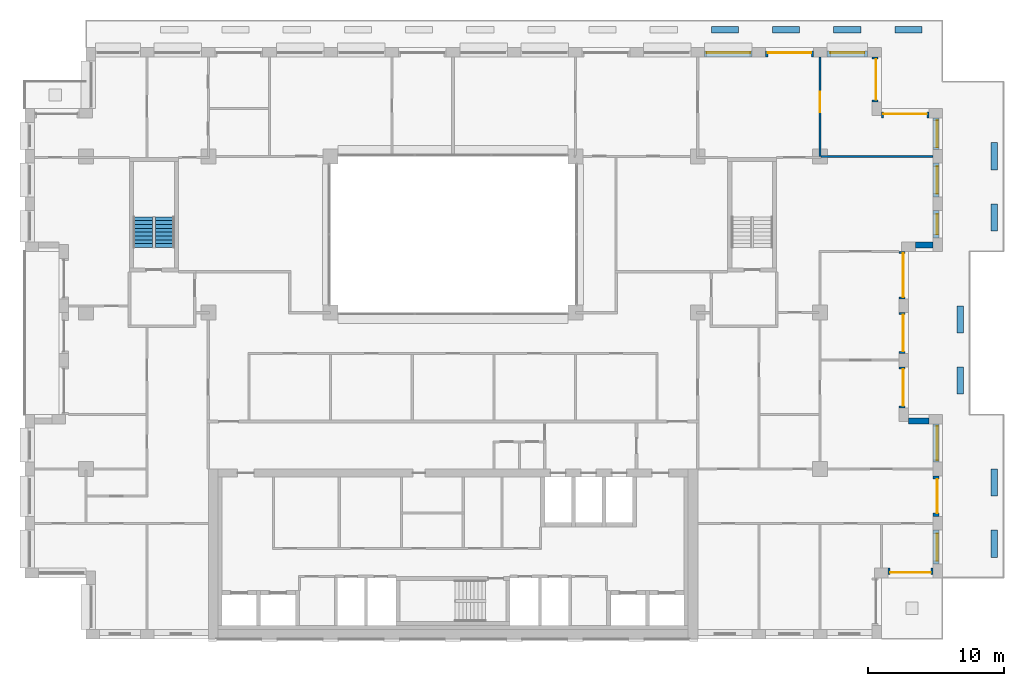
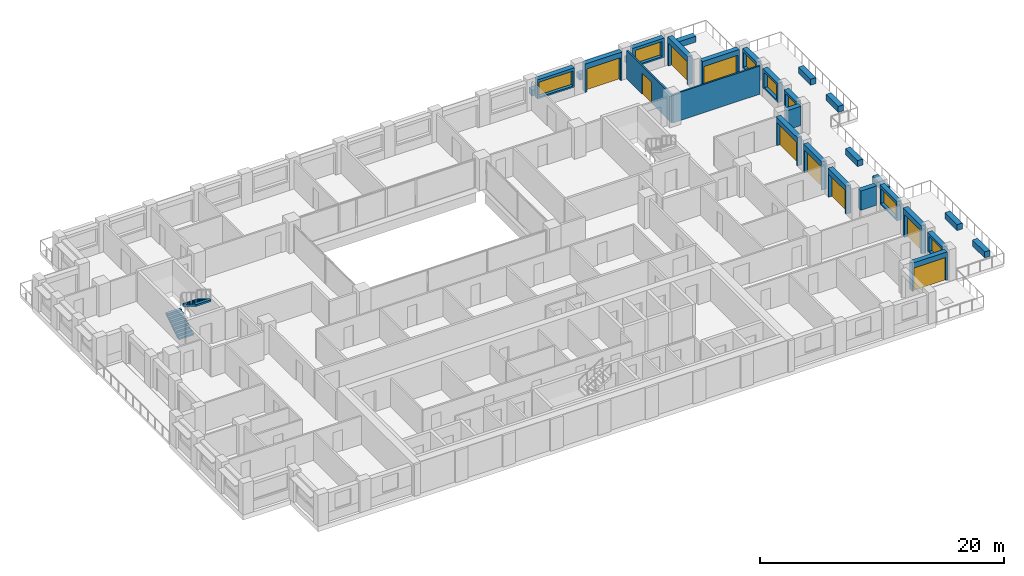
# One storey, part 14 of 17: 29 walls, 9 doors, 7 windows, 2 stair flights, 16 openings, 1 element without a shape of its own.
"""IFC4 building model written with IfcOpenShell, lengths in metres."""

from ifc_helpers import new_model, si_unit, direction, frame, frame_2d, origin, place, context, subcontext, project, spatial, polyline, rectangle, outline, extrude, material, layer, layer_set, type_object, element, fill, aggregate, save


model = new_model("IFC4")

# Units and contexts
model_context = context("Model", 3, precision=1e-05, world=origin(), true_north=direction((0.0, 1.0)))
body_context = subcontext(model_context, "Body", "Model", "MODEL_VIEW")
ifc_project = project(units=[si_unit("LENGTHUNIT", "METRE"), si_unit("AREAUNIT", "SQUARE_METRE"), si_unit("VOLUMEUNIT", "CUBIC_METRE"), si_unit("PLANEANGLEUNIT", "RADIAN"), si_unit("MASSUNIT", "GRAM", prefix="KILO")], contexts=[model_context])

# Site, building, storey
site_placement = place(None, origin())
site = spatial("IfcSite", under=ifc_project, at=site_placement, CompositionType="ELEMENT")
building_placement = place(site_placement, origin())
building = spatial("IfcBuilding", under=site, at=building_placement, Name="Brigalow Station Residences", CompositionType="ELEMENT")
storey_placement = place(building_placement, frame((0.0, 0.0, 141.300048828125)))
storey = spatial("IfcBuildingStorey", under=building, at=storey_placement, Name="L40", CompositionType="ELEMENT", Elevation=141.300048828125)

# Wall, opening, door
ifc_material_1 = material(Name="Clay brick masonry", Category="masonry")
ifc_layer_1 = layer(ifc_material_1, 0.449951171875)
ifc_layer_set_1 = layer_set([ifc_layer_1], Name="BRICK INFILL WALL 450")
wall_type_1 = type_object("IfcWallType", Name="BRICK INFILL WALL 450", PredefinedType="SOLIDWALL", material=ifc_layer_set_1)
wall_1_placement = place(storey_placement, frame((68.0, 4.97509765625, 0.0), z_axis=(0.0, 0.0, 1.0), x_axis=(1.0, 0.0, 0.0)))
wall_1 = element("IfcWall", 1, at=wall_1_placement, inside=storey, type_object=wall_type_1, Name="L40/ewall/W-L40-8", PredefinedType="SOLIDWALL", context=body_context, shape_type="SweptSolid", body=[
    extrude(rectangle(XDim=3.300048828125, YDim=0.449951171875, at=frame_2d((1.64990234375, 0.0))), origin(), (0.0, 0.0, 1.0), 2.829833984375),
])
opening_1_placement = place(wall_1_placement, frame((0.14990234375, 0.0, 0.0)))
opening_1 = element("IfcOpeningElement", 2, at=opening_1_placement, cuts=wall_1, Name="Opening D-B3000", PredefinedType="OPENING", context=body_context, shape_type="SweptSolid", body=[
    extrude(rectangle(XDim=3.0, YDim=2.300048828125, at=frame_2d((1.5, 1.14990234375))), frame((0.0, 0.23486328125, 0.0), z_axis=(0.0, -1.0, 0.0), x_axis=(1.0, 0.0, 0.0)), (0.0, 0.0, 1.0), 0.469970703125),
])
ifc_material_2 = material(Name="Anodised aluminium frame with double glazing", Category="aluminium")
door_type_1 = type_object("IfcDoorType", Name="BALCONY SLIDING DOOR 3000x2300", OperationType="SLIDING_TO_LEFT", PredefinedType="DOOR", material=ifc_material_2)
door_1_placement = place(opening_1_placement, origin())
door_1 = element("IfcDoor", 3, at=door_1_placement, inside=storey, type_object=door_type_1, Name="L40/balcony-door/W-L40-8", OperationType="SLIDING_TO_LEFT", OverallHeight=2.300048828125, OverallWidth=3.0, PredefinedType="DOOR", context=body_context, shape_type="SweptSolid", body=[
    extrude(rectangle(XDim=3.0, YDim=2.300048828125, at=frame_2d((1.5, 1.14990234375))), frame((0.0, -0.06982421875, 0.0), z_axis=(0.0, -1.0, 0.0), x_axis=(1.0, 0.0, 0.0)), (0.0, 0.0, 1.0), 0.050048828125),
])
fill(opening_1, door_1)

# Wall, opening, window
wall_2_placement = place(storey_placement, frame((71.52490234375, 5.5, 0.89990234375), z_axis=(0.0, 0.0, 1.0), x_axis=(0.0, 1.0, 0.0)))
wall_2 = element("IfcWall", 4, at=wall_2_placement, inside=storey, type_object=wall_type_1, Name="L40/ewall/W-L40-9", PredefinedType="SOLIDWALL", context=body_context, shape_type="SweptSolid", body=[
    extrude(rectangle(XDim=2.5, YDim=0.449951171875, at=frame_2d((1.25, 0.0))), origin(), (0.0, 0.0, 1.0), 1.929931640625),
])
opening_2_placement = place(wall_2_placement, frame((0.25, 0.0, 0.14990234375)))
opening_2 = element("IfcOpeningElement", 5, at=opening_2_placement, cuts=wall_2, Name="Opening WT-7", PredefinedType="OPENING", context=body_context, shape_type="SweptSolid", body=[
    extrude(rectangle(XDim=2.0, YDim=1.5, at=frame_2d((1.0, 0.75))), frame((0.0, 0.23486328125, 0.0), z_axis=(0.0, -1.0, 0.0), x_axis=(1.0, 0.0, 0.0)), (0.0, 0.0, 1.0), 0.469970703125),
])
ifc_material_3 = material(Name="Anodised aluminium frame with double glazing", Category="aluminium")
window_type_1 = type_object("IfcWindowType", Name="WINDOW 2000x1500", PartitioningType="SINGLE_PANEL", PredefinedType="WINDOW", material=ifc_material_3)
window_1_placement = place(opening_2_placement, origin())
window_1 = element("IfcWindow", 6, at=window_1_placement, inside=storey, type_object=window_type_1, Name="L40/window/W-L40-9", OverallHeight=1.5, OverallWidth=2.0, PartitioningType="SINGLE_PANEL", PredefinedType="WINDOW", context=body_context, shape_type="SweptSolid", body=[
    extrude(rectangle(XDim=2.0, YDim=1.5, at=frame_2d((1.0, 0.75))), frame((0.0, -0.06494140625, 0.0), z_axis=(0.0, -1.0, 0.0), x_axis=(1.0, 0.0, 0.0)), (0.0, 0.0, 1.0), 0.06005859375),
])
fill(opening_2, window_1)

# Wall, opening, door
wall_3_placement = place(storey_placement, frame((71.52490234375, 9.0, 0.0), z_axis=(0.0, 0.0, 1.0), x_axis=(0.0, 1.0, 0.0)))
wall_3 = element("IfcWall", 7, at=wall_3_placement, inside=storey, type_object=wall_type_1, Name="L40/ewall/W-L40-10", PredefinedType="SOLIDWALL", context=body_context, shape_type="SweptSolid", body=[
    extrude(rectangle(XDim=3.0, YDim=0.449951171875, at=frame_2d((1.5, 0.0))), origin(), (0.0, 0.0, 1.0), 2.829833984375),
])
opening_3_placement = place(wall_3_placement, frame((0.25, 0.0, 0.0)))
opening_3 = element("IfcOpeningElement", 8, at=opening_3_placement, cuts=wall_3, Name="Opening D-B2500", PredefinedType="OPENING", context=body_context, shape_type="SweptSolid", body=[
    extrude(rectangle(XDim=2.5, YDim=2.300048828125, at=frame_2d((1.25, 1.14990234375))), frame((0.0, 0.23486328125, 0.0), z_axis=(0.0, -1.0, 0.0), x_axis=(1.0, 0.0, 0.0)), (0.0, 0.0, 1.0), 0.469970703125),
])
ifc_material_4 = material(Name="Anodised aluminium frame with double glazing", Category="aluminium")
door_type_2 = type_object("IfcDoorType", Name="BALCONY SLIDING DOOR 2500x2300", OperationType="SLIDING_TO_LEFT", PredefinedType="DOOR", material=ifc_material_4)
door_2_placement = place(opening_3_placement, origin())
door_2 = element("IfcDoor", 9, at=door_2_placement, inside=storey, type_object=door_type_2, Name="L40/balcony-door/W-L40-10", OperationType="SLIDING_TO_LEFT", OverallHeight=2.300048828125, OverallWidth=2.5, PredefinedType="DOOR", context=body_context, shape_type="SweptSolid", body=[
    extrude(rectangle(XDim=2.5, YDim=2.300048828125, at=frame_2d((1.25, 1.14990234375))), frame((0.0, -0.06982421875, 0.0), z_axis=(0.0, -1.0, 0.0), x_axis=(1.0, 0.0, 0.0)), (0.0, 0.0, 1.0), 0.050048828125),
])
fill(opening_3, door_2)

# Wall, opening, window
wall_4_placement = place(storey_placement, frame((71.52490234375, 13.0, 0.89990234375), z_axis=(0.0, 0.0, 1.0), x_axis=(0.0, 1.0, 0.0)))
wall_4 = element("IfcWall", 10, at=wall_4_placement, inside=storey, type_object=wall_type_1, Name="L40/ewall/W-L40-11", PredefinedType="SOLIDWALL", context=body_context, shape_type="SweptSolid", body=[
    extrude(rectangle(XDim=2.800048828125, YDim=0.449951171875, at=frame_2d((1.39990234375, 0.0))), origin(), (0.0, 0.0, 1.0), 1.929931640625),
])
opening_4_placement = place(wall_4_placement, frame((0.14990234375, 0.0, 0.14990234375)))
opening_4 = element("IfcOpeningElement", 11, at=opening_4_placement, cuts=wall_4, Name="Opening WT-5", PredefinedType="OPENING", context=body_context, shape_type="SweptSolid", body=[
    extrude(rectangle(XDim=2.5, YDim=1.5, at=frame_2d((1.25, 0.75))), frame((0.0, 0.23486328125, 0.0), z_axis=(0.0, -1.0, 0.0), x_axis=(1.0, 0.0, 0.0)), (0.0, 0.0, 1.0), 0.469970703125),
])
ifc_material_5 = material(Name="Anodised aluminium frame with double glazing", Category="aluminium")
window_type_2 = type_object("IfcWindowType", Name="WINDOW 2500x1500", PartitioningType="SINGLE_PANEL", PredefinedType="WINDOW", material=ifc_material_5)
window_2_placement = place(opening_4_placement, origin())
window_2 = element("IfcWindow", 12, at=window_2_placement, inside=storey, type_object=window_type_2, Name="L40/window/W-L40-11", OverallHeight=1.5, OverallWidth=2.5, PartitioningType="SINGLE_PANEL", PredefinedType="WINDOW", context=body_context, shape_type="SweptSolid", body=[
    extrude(rectangle(XDim=2.5, YDim=1.5, at=frame_2d((1.25, 0.75))), frame((0.0, -0.06494140625, 0.0), z_axis=(0.0, -1.0, 0.0), x_axis=(1.0, 0.0, 0.0)), (0.0, 0.0, 1.0), 0.06005859375),
])
fill(opening_4, window_2)

# Wall
wall_5_placement = place(storey_placement, frame((71.0, 16.02490234375, 0.89990234375), z_axis=(0.0, 0.0, 1.0), x_axis=(-1.0, 0.0, 0.0)))
element("IfcWall", 13, at=wall_5_placement, inside=storey, type_object=wall_type_1, Name="L40/ewall/W-L40-12", PredefinedType="SOLIDWALL", context=body_context, shape_type="SweptSolid", body=[
    extrude(rectangle(XDim=1.5, YDim=0.449951171875, at=frame_2d((0.75, 0.0))), origin(), (0.0, 0.0, 1.0), 1.929931640625),
])

# Wall, opening, door
wall_6_placement = place(storey_placement, frame((69.02490234375, 17.0, 0.0), z_axis=(0.0, 0.0, 1.0), x_axis=(0.0, 1.0, 0.0)))
wall_6 = element("IfcWall", 14, at=wall_6_placement, inside=storey, type_object=wall_type_1, Name="L40/ewall/W-L40-13", PredefinedType="SOLIDWALL", context=body_context, shape_type="SweptSolid", body=[
    extrude(rectangle(XDim=3.0, YDim=0.449951171875, at=frame_2d((1.5, 0.0))), origin(), (0.0, 0.0, 1.0), 2.829833984375),
])
opening_5_placement = place(wall_6_placement, frame((0.14990234375, 0.0, 0.0)))
opening_5 = element("IfcOpeningElement", 15, at=opening_5_placement, cuts=wall_6, Name="Opening D-B2700", PredefinedType="OPENING", context=body_context, shape_type="SweptSolid", body=[
    extrude(rectangle(XDim=2.699951171875, YDim=2.300048828125, at=frame_2d((1.35009765625, 1.14990234375))), frame((0.0, 0.23486328125, 0.0), z_axis=(0.0, -1.0, 0.0), x_axis=(1.0, 0.0, 0.0)), (0.0, 0.0, 1.0), 0.469970703125),
])
ifc_material_6 = material(Name="Anodised aluminium frame with double glazing", Category="aluminium")
door_type_3 = type_object("IfcDoorType", Name="BALCONY SLIDING DOOR 2700x2300", OperationType="SLIDING_TO_LEFT", PredefinedType="DOOR", material=ifc_material_6)
door_3_placement = place(opening_5_placement, origin())
door_3 = element("IfcDoor", 16, at=door_3_placement, inside=storey, type_object=door_type_3, Name="L40/balcony-door/W-L40-13", OperationType="SLIDING_TO_LEFT", OverallHeight=2.300048828125, OverallWidth=2.699951171875, PredefinedType="DOOR", context=body_context, shape_type="SweptSolid", body=[
    extrude(rectangle(XDim=2.699951171875, YDim=2.300048828125, at=frame_2d((1.35009765625, 1.14990234375))), frame((0.0, -0.06982421875, 0.0), z_axis=(0.0, -1.0, 0.0), x_axis=(1.0, 0.0, 0.0)), (0.0, 0.0, 1.0), 0.050048828125),
])
fill(opening_5, door_3)

wall_7_placement = place(storey_placement, frame((69.02490234375, 21.0, 0.0), z_axis=(0.0, 0.0, 1.0), x_axis=(0.0, 1.0, 0.0)))
wall_7 = element("IfcWall", 17, at=wall_7_placement, inside=storey, type_object=wall_type_1, Name="L40/ewall/W-L40-14", PredefinedType="SOLIDWALL", context=body_context, shape_type="SweptSolid", body=[
    extrude(rectangle(XDim=3.0, YDim=0.449951171875, at=frame_2d((1.5, 0.0))), origin(), (0.0, 0.0, 1.0), 2.829833984375),
])
opening_6_placement = place(wall_7_placement, frame((0.14990234375, 0.0, 0.0)))
opening_6 = element("IfcOpeningElement", 18, at=opening_6_placement, cuts=wall_7, Name="Opening D-B2700", PredefinedType="OPENING", context=body_context, shape_type="SweptSolid", body=[
    extrude(rectangle(XDim=2.699951171875, YDim=2.300048828125, at=frame_2d((1.35009765625, 1.14990234375))), frame((0.0, 0.23486328125, 0.0), z_axis=(0.0, -1.0, 0.0), x_axis=(1.0, 0.0, 0.0)), (0.0, 0.0, 1.0), 0.469970703125),
])
door_4_placement = place(opening_6_placement, origin())
door_4 = element("IfcDoor", 19, at=door_4_placement, inside=storey, type_object=door_type_3, Name="L40/balcony-door/W-L40-14", OperationType="SLIDING_TO_LEFT", OverallHeight=2.300048828125, OverallWidth=2.699951171875, PredefinedType="DOOR", context=body_context, shape_type="SweptSolid", body=[
    extrude(rectangle(XDim=2.699951171875, YDim=2.300048828125, at=frame_2d((1.35009765625, 1.14990234375))), frame((0.0, -0.06982421875, 0.0), z_axis=(0.0, -1.0, 0.0), x_axis=(1.0, 0.0, 0.0)), (0.0, 0.0, 1.0), 0.050048828125),
])
fill(opening_6, door_4)

wall_8_placement = place(storey_placement, frame((69.02490234375, 25.0, 0.0), z_axis=(0.0, 0.0, 1.0), x_axis=(0.0, 1.0, 0.0)))
wall_8 = element("IfcWall", 20, at=wall_8_placement, inside=storey, type_object=wall_type_1, Name="L40/ewall/W-L40-15", PredefinedType="SOLIDWALL", context=body_context, shape_type="SweptSolid", body=[
    extrude(rectangle(XDim=3.5, YDim=0.449951171875, at=frame_2d((1.75, 0.0))), origin(), (0.0, 0.0, 1.0), 2.829833984375),
])
opening_7_placement = place(wall_8_placement, frame((0.14990234375, 0.0, 0.0)))
opening_7 = element("IfcOpeningElement", 21, at=opening_7_placement, cuts=wall_8, Name="Opening D-B3200", PredefinedType="OPENING", context=body_context, shape_type="SweptSolid", body=[
    extrude(rectangle(XDim=3.199951171875, YDim=2.300048828125, at=frame_2d((1.60009765625, 1.14990234375))), frame((0.0, 0.23486328125, 0.0), z_axis=(0.0, -1.0, 0.0), x_axis=(1.0, 0.0, 0.0)), (0.0, 0.0, 1.0), 0.469970703125),
])
ifc_material_7 = material(Name="Anodised aluminium frame with double glazing", Category="aluminium")
door_type_4 = type_object("IfcDoorType", Name="BALCONY SLIDING DOOR 3200x2300", OperationType="SLIDING_TO_LEFT", PredefinedType="DOOR", material=ifc_material_7)
door_5_placement = place(opening_7_placement, origin())
door_5 = element("IfcDoor", 22, at=door_5_placement, inside=storey, type_object=door_type_4, Name="L40/balcony-door/W-L40-15", OperationType="SLIDING_TO_LEFT", OverallHeight=2.300048828125, OverallWidth=3.199951171875, PredefinedType="DOOR", context=body_context, shape_type="SweptSolid", body=[
    extrude(rectangle(XDim=3.199951171875, YDim=2.300048828125, at=frame_2d((1.60009765625, 1.14990234375))), frame((0.0, -0.06982421875, 0.0), z_axis=(0.0, -1.0, 0.0), x_axis=(1.0, 0.0, 0.0)), (0.0, 0.0, 1.0), 0.050048828125),
])
fill(opening_7, door_5)

# Wall
wall_9_placement = place(storey_placement, frame((70.0, 28.97509765625, 0.89990234375), z_axis=(0.0, 0.0, 1.0), x_axis=(1.0, 0.0, 0.0)))
element("IfcWall", 23, at=wall_9_placement, inside=storey, type_object=wall_type_1, Name="L40/ewall/W-L40-16", PredefinedType="SOLIDWALL", context=body_context, shape_type="SweptSolid", body=[
    extrude(rectangle(XDim=1.300048828125, YDim=0.449951171875, at=frame_2d((0.64990234375, 0.0))), origin(), (0.0, 0.0, 1.0), 1.929931640625),
])

# Wall, opening, window
wall_10_placement = place(storey_placement, frame((71.52490234375, 29.5, 0.89990234375), z_axis=(0.0, 0.0, 1.0), x_axis=(0.0, 1.0, 0.0)))
wall_10 = element("IfcWall", 24, at=wall_10_placement, inside=storey, type_object=wall_type_1, Name="L40/ewall/W-L40-17", PredefinedType="SOLIDWALL", context=body_context, shape_type="SweptSolid", body=[
    extrude(rectangle(XDim=2.0, YDim=0.449951171875, at=frame_2d((1.0, 0.0))), origin(), (0.0, 0.0, 1.0), 1.929931640625),
])
opening_8_placement = place(wall_10_placement, frame((0.25, 0.0, 0.14990234375)))
opening_8 = element("IfcOpeningElement", 25, at=opening_8_placement, cuts=wall_10, Name="Opening WT-1", PredefinedType="OPENING", context=body_context, shape_type="SweptSolid", body=[
    extrude(rectangle(XDim=1.5, YDim=1.5, at=frame_2d((0.75, 0.75))), frame((0.0, 0.23486328125, 0.0), z_axis=(0.0, -1.0, 0.0), x_axis=(1.0, 0.0, 0.0)), (0.0, 0.0, 1.0), 0.469970703125),
])
ifc_material_8 = material(Name="Anodised aluminium frame with double glazing", Category="aluminium")
window_type_3 = type_object("IfcWindowType", Name="WINDOW 1500x1500", PartitioningType="SINGLE_PANEL", PredefinedType="WINDOW", material=ifc_material_8)
window_3_placement = place(opening_8_placement, origin())
window_3 = element("IfcWindow", 26, at=window_3_placement, inside=storey, type_object=window_type_3, Name="L40/window/W-L40-17", OverallHeight=1.5, OverallWidth=1.5, PartitioningType="SINGLE_PANEL", PredefinedType="WINDOW", context=body_context, shape_type="SweptSolid", body=[
    extrude(rectangle(XDim=1.5, YDim=1.5, at=frame_2d((0.75, 0.75))), frame((0.0, -0.06494140625, 0.0), z_axis=(0.0, -1.0, 0.0), x_axis=(1.0, 0.0, 0.0)), (0.0, 0.0, 1.0), 0.06005859375),
])
fill(opening_8, window_3)

wall_11_placement = place(storey_placement, frame((71.52490234375, 32.5, 0.89990234375), z_axis=(0.0, 0.0, 1.0), x_axis=(0.0, 1.0, 0.0)))
wall_11 = element("IfcWall", 27, at=wall_11_placement, inside=storey, type_object=wall_type_1, Name="L40/ewall/W-L40-18", PredefinedType="SOLIDWALL", context=body_context, shape_type="SweptSolid", body=[
    extrude(rectangle(XDim=2.5, YDim=0.449951171875, at=frame_2d((1.25, 0.0))), origin(), (0.0, 0.0, 1.0), 1.929931640625),
])
opening_9_placement = place(wall_11_placement, frame((0.25, 0.0, 0.14990234375)))
opening_9 = element("IfcOpeningElement", 28, at=opening_9_placement, cuts=wall_11, Name="Opening WT-7", PredefinedType="OPENING", context=body_context, shape_type="SweptSolid", body=[
    extrude(rectangle(XDim=2.0, YDim=1.5, at=frame_2d((1.0, 0.75))), frame((0.0, 0.23486328125, 0.0), z_axis=(0.0, -1.0, 0.0), x_axis=(1.0, 0.0, 0.0)), (0.0, 0.0, 1.0), 0.469970703125),
])
window_4_placement = place(opening_9_placement, origin())
window_4 = element("IfcWindow", 29, at=window_4_placement, inside=storey, type_object=window_type_1, Name="L40/window/W-L40-18", OverallHeight=1.5, OverallWidth=2.0, PartitioningType="SINGLE_PANEL", PredefinedType="WINDOW", context=body_context, shape_type="SweptSolid", body=[
    extrude(rectangle(XDim=2.0, YDim=1.5, at=frame_2d((1.0, 0.75))), frame((0.0, -0.06494140625, 0.0), z_axis=(0.0, -1.0, 0.0), x_axis=(1.0, 0.0, 0.0)), (0.0, 0.0, 1.0), 0.06005859375),
])
fill(opening_9, window_4)

wall_12_placement = place(storey_placement, frame((71.52490234375, 36.0, 0.89990234375), z_axis=(0.0, 0.0, 1.0), x_axis=(0.0, 1.0, 0.0)))
wall_12 = element("IfcWall", 30, at=wall_12_placement, inside=storey, type_object=wall_type_1, Name="L40/ewall/W-L40-19", PredefinedType="SOLIDWALL", context=body_context, shape_type="SweptSolid", body=[
    extrude(rectangle(XDim=2.300048828125, YDim=0.449951171875, at=frame_2d((1.14990234375, 0.0))), origin(), (0.0, 0.0, 1.0), 1.929931640625),
])
opening_10_placement = place(wall_12_placement, frame((0.14990234375, 0.0, 0.14990234375)))
opening_10 = element("IfcOpeningElement", 31, at=opening_10_placement, cuts=wall_12, Name="Opening WT-7", PredefinedType="OPENING", context=body_context, shape_type="SweptSolid", body=[
    extrude(rectangle(XDim=2.0, YDim=1.5, at=frame_2d((1.0, 0.75))), frame((0.0, 0.23486328125, 0.0), z_axis=(0.0, -1.0, 0.0), x_axis=(1.0, 0.0, 0.0)), (0.0, 0.0, 1.0), 0.469970703125),
])
window_5_placement = place(opening_10_placement, origin())
window_5 = element("IfcWindow", 32, at=window_5_placement, inside=storey, type_object=window_type_1, Name="L40/window/W-L40-19", OverallHeight=1.5, OverallWidth=2.0, PartitioningType="SINGLE_PANEL", PredefinedType="WINDOW", context=body_context, shape_type="SweptSolid", body=[
    extrude(rectangle(XDim=2.0, YDim=1.5, at=frame_2d((1.0, 0.75))), frame((0.0, -0.06494140625, 0.0), z_axis=(0.0, -1.0, 0.0), x_axis=(1.0, 0.0, 0.0)), (0.0, 0.0, 1.0), 0.06005859375),
])
fill(opening_10, window_5)

# Wall, opening, door
wall_13_placement = place(storey_placement, frame((71.0, 38.52490234375, 0.0), z_axis=(0.0, 0.0, 1.0), x_axis=(-1.0, 0.0, 0.0)))
wall_13 = element("IfcWall", 33, at=wall_13_placement, inside=storey, type_object=wall_type_1, Name="L40/ewall/W-L40-20", PredefinedType="SOLIDWALL", context=body_context, shape_type="SweptSolid", body=[
    extrude(rectangle(XDim=3.5, YDim=0.449951171875, at=frame_2d((1.75, 0.0))), origin(), (0.0, 0.0, 1.0), 2.829833984375),
])
opening_11_placement = place(wall_13_placement, frame((0.14990234375, 0.0, 0.0)))
opening_11 = element("IfcOpeningElement", 34, at=opening_11_placement, cuts=wall_13, Name="Opening D-B3200", PredefinedType="OPENING", context=body_context, shape_type="SweptSolid", body=[
    extrude(rectangle(XDim=3.199951171875, YDim=2.300048828125, at=frame_2d((1.60009765625, 1.14990234375))), frame((0.0, 0.23486328125, 0.0), z_axis=(0.0, -1.0, 0.0), x_axis=(1.0, 0.0, 0.0)), (0.0, 0.0, 1.0), 0.469970703125),
])
door_6_placement = place(opening_11_placement, origin())
door_6 = element("IfcDoor", 35, at=door_6_placement, inside=storey, type_object=door_type_4, Name="L40/balcony-door/W-L40-20", OperationType="SLIDING_TO_LEFT", OverallHeight=2.300048828125, OverallWidth=3.199951171875, PredefinedType="DOOR", context=body_context, shape_type="SweptSolid", body=[
    extrude(rectangle(XDim=3.199951171875, YDim=2.300048828125, at=frame_2d((1.60009765625, 1.14990234375))), frame((0.0, -0.06982421875, 0.0), z_axis=(0.0, -1.0, 0.0), x_axis=(1.0, 0.0, 0.0)), (0.0, 0.0, 1.0), 0.050048828125),
])
fill(opening_11, door_6)

wall_14_placement = place(storey_placement, frame((67.02490234375, 39.5, 0.0), z_axis=(0.0, 0.0, 1.0), x_axis=(0.0, 1.0, 0.0)))
wall_14 = element("IfcWall", 36, at=wall_14_placement, inside=storey, type_object=wall_type_1, Name="L40/ewall/W-L40-21", PredefinedType="SOLIDWALL", context=body_context, shape_type="SweptSolid", body=[
    extrude(rectangle(XDim=3.300048828125, YDim=0.449951171875, at=frame_2d((1.64990234375, 0.0))), origin(), (0.0, 0.0, 1.0), 2.829833984375),
])
opening_12_placement = place(wall_14_placement, frame((0.14990234375, 0.0, 0.0)))
opening_12 = element("IfcOpeningElement", 37, at=opening_12_placement, cuts=wall_14, Name="Opening D-B3000", PredefinedType="OPENING", context=body_context, shape_type="SweptSolid", body=[
    extrude(rectangle(XDim=3.0, YDim=2.300048828125, at=frame_2d((1.5, 1.14990234375))), frame((0.0, 0.23486328125, 0.0), z_axis=(0.0, -1.0, 0.0), x_axis=(1.0, 0.0, 0.0)), (0.0, 0.0, 1.0), 0.469970703125),
])
door_7_placement = place(opening_12_placement, origin())
door_7 = element("IfcDoor", 38, at=door_7_placement, inside=storey, type_object=door_type_1, Name="L40/balcony-door/W-L40-21", OperationType="SLIDING_TO_LEFT", OverallHeight=2.300048828125, OverallWidth=3.0, PredefinedType="DOOR", context=body_context, shape_type="SweptSolid", body=[
    extrude(rectangle(XDim=3.0, YDim=2.300048828125, at=frame_2d((1.5, 1.14990234375))), frame((0.0, -0.06982421875, 0.0), z_axis=(0.0, -1.0, 0.0), x_axis=(1.0, 0.0, 0.0)), (0.0, 0.0, 1.0), 0.050048828125),
])
fill(opening_12, door_7)

# Wall, opening, window
wall_15_placement = place(storey_placement, frame((66.5, 43.02490234375, 0.89990234375), z_axis=(0.0, 0.0, 1.0), x_axis=(-1.0, 0.0, 0.0)))
wall_15 = element("IfcWall", 39, at=wall_15_placement, inside=storey, type_object=wall_type_1, Name="L40/ewall/W-L40-22", PredefinedType="SOLIDWALL", context=body_context, shape_type="SweptSolid", body=[
    extrude(rectangle(XDim=3.0, YDim=0.449951171875, at=frame_2d((1.5, 0.0))), origin(), (0.0, 0.0, 1.0), 1.929931640625),
])
opening_13_placement = place(wall_15_placement, frame((0.25, 0.0, 0.14990234375)))
opening_13 = element("IfcOpeningElement", 40, at=opening_13_placement, cuts=wall_15, Name="Opening WT-5", PredefinedType="OPENING", context=body_context, shape_type="SweptSolid", body=[
    extrude(rectangle(XDim=2.5, YDim=1.5, at=frame_2d((1.25, 0.75))), frame((0.0, 0.23486328125, 0.0), z_axis=(0.0, -1.0, 0.0), x_axis=(1.0, 0.0, 0.0)), (0.0, 0.0, 1.0), 0.469970703125),
])
window_6_placement = place(opening_13_placement, origin())
window_6 = element("IfcWindow", 41, at=window_6_placement, inside=storey, type_object=window_type_2, Name="L40/window/W-L40-22", OverallHeight=1.5, OverallWidth=2.5, PartitioningType="SINGLE_PANEL", PredefinedType="WINDOW", context=body_context, shape_type="SweptSolid", body=[
    extrude(rectangle(XDim=2.5, YDim=1.5, at=frame_2d((1.25, 0.75))), frame((0.0, -0.06494140625, 0.0), z_axis=(0.0, -1.0, 0.0), x_axis=(1.0, 0.0, 0.0)), (0.0, 0.0, 1.0), 0.06005859375),
])
fill(opening_13, window_6)

# Wall, opening, door
wall_16_placement = place(storey_placement, frame((62.5, 43.02490234375, 0.0), z_axis=(0.0, 0.0, 1.0), x_axis=(-1.0, 0.0, 0.0)))
wall_16 = element("IfcWall", 42, at=wall_16_placement, inside=storey, type_object=wall_type_1, Name="L40/ewall/W-L40-23", PredefinedType="SOLIDWALL", context=body_context, shape_type="SweptSolid", body=[
    extrude(rectangle(XDim=3.5, YDim=0.449951171875, at=frame_2d((1.75, 0.0))), origin(), (0.0, 0.0, 1.0), 2.829833984375),
])
opening_14_placement = place(wall_16_placement, frame((0.14990234375, 0.0, 0.0)))
opening_14 = element("IfcOpeningElement", 43, at=opening_14_placement, cuts=wall_16, Name="Opening D-B3200", PredefinedType="OPENING", context=body_context, shape_type="SweptSolid", body=[
    extrude(rectangle(XDim=3.199951171875, YDim=2.300048828125, at=frame_2d((1.60009765625, 1.14990234375))), frame((0.0, 0.23486328125, 0.0), z_axis=(0.0, -1.0, 0.0), x_axis=(1.0, 0.0, 0.0)), (0.0, 0.0, 1.0), 0.469970703125),
])
door_8_placement = place(opening_14_placement, origin())
door_8 = element("IfcDoor", 44, at=door_8_placement, inside=storey, type_object=door_type_4, Name="L40/balcony-door/W-L40-23", OperationType="SLIDING_TO_LEFT", OverallHeight=2.300048828125, OverallWidth=3.199951171875, PredefinedType="DOOR", context=body_context, shape_type="SweptSolid", body=[
    extrude(rectangle(XDim=3.199951171875, YDim=2.300048828125, at=frame_2d((1.60009765625, 1.14990234375))), frame((0.0, -0.06982421875, 0.0), z_axis=(0.0, -1.0, 0.0), x_axis=(1.0, 0.0, 0.0)), (0.0, 0.0, 1.0), 0.050048828125),
])
fill(opening_14, door_8)

# Wall, opening, window
wall_17_placement = place(storey_placement, frame((58.0, 43.02490234375, 0.89990234375), z_axis=(0.0, 0.0, 1.0), x_axis=(-1.0, 0.0, 0.0)))
wall_17 = element("IfcWall", 45, at=wall_17_placement, inside=storey, type_object=wall_type_1, Name="L40/ewall/W-L40-24", PredefinedType="SOLIDWALL", context=body_context, shape_type="SweptSolid", body=[
    extrude(rectangle(XDim=3.5, YDim=0.449951171875, at=frame_2d((1.75, 0.0))), origin(), (0.0, 0.0, 1.0), 1.929931640625),
])
opening_15_placement = place(wall_17_placement, frame((0.14990234375, 0.0, 0.14990234375)))
opening_15 = element("IfcOpeningElement", 46, at=opening_15_placement, cuts=wall_17, Name="Opening WT-9", PredefinedType="OPENING", context=body_context, shape_type="SweptSolid", body=[
    extrude(rectangle(XDim=3.199951171875, YDim=1.5, at=frame_2d((1.60009765625, 0.75))), frame((0.0, 0.23486328125, 0.0), z_axis=(0.0, -1.0, 0.0), x_axis=(1.0, 0.0, 0.0)), (0.0, 0.0, 1.0), 0.469970703125),
])
ifc_material_9 = material(Name="Anodised aluminium frame with double glazing", Category="aluminium")
window_type_4 = type_object("IfcWindowType", Name="WINDOW 3200x1500", PartitioningType="SINGLE_PANEL", PredefinedType="WINDOW", material=ifc_material_9)
window_7_placement = place(opening_15_placement, origin())
window_7 = element("IfcWindow", 47, at=window_7_placement, inside=storey, type_object=window_type_4, Name="L40/window/W-L40-24", OverallHeight=1.5, OverallWidth=3.199951171875, PartitioningType="SINGLE_PANEL", PredefinedType="WINDOW", context=body_context, shape_type="SweptSolid", body=[
    extrude(rectangle(XDim=3.199951171875, YDim=1.5, at=frame_2d((1.60009765625, 0.75))), frame((0.0, -0.06494140625, 0.0), z_axis=(0.0, -1.0, 0.0), x_axis=(1.0, 0.0, 0.0)), (0.0, 0.0, 1.0), 0.06005859375),
])
fill(opening_15, window_7)

# Wall
ifc_material_10 = material(Name="Plasterboard on steel stud partition", Category="steel")
ifc_layer_2 = layer(ifc_material_10, 0.14990234375)
ifc_layer_set_2 = layer_set([ifc_layer_2], Name="FLAT PARTITION 150")
wall_type_2 = type_object("IfcWallType", Name="FLAT PARTITION 150", PredefinedType="PARTITIONING", material=ifc_layer_set_2)
wall_18_placement = place(storey_placement, frame((63.074951171875, 35.5, 0.0), z_axis=(0.0, 0.0, 1.0), x_axis=(1.0, 0.0, 0.0)))
element("IfcWall", 48, at=wall_18_placement, inside=storey, type_object=wall_type_2, Name="PW-3A25", PredefinedType="PARTITIONING", context=body_context, shape_type="SweptSolid", body=[
    extrude(rectangle(XDim=8.22509765625, YDim=0.14990234375, at=frame_2d((4.112548828125, 0.0))), origin(), (0.0, 0.0, 1.0), 2.829833984375),
])

# Wall, opening, door
wall_19_placement = place(storey_placement, frame((63.0, 35.47509765625, 0.0), z_axis=(0.0, 0.0, 1.0), x_axis=(0.0, 1.0, 0.0)))
wall_19 = element("IfcWall", 49, at=wall_19_placement, inside=storey, type_object=wall_type_2, Name="PW-3A49", PredefinedType="PARTITIONING", context=body_context, shape_type="SweptSolid", body=[
    extrude(rectangle(XDim=7.324951171875, YDim=0.14990234375, at=frame_2d((3.66259765625, 0.0))), origin(), (0.0, 0.0, 1.0), 2.829833984375),
])
opening_16_placement = place(wall_19_placement, frame((3.27490234375, 0.0, 0.0)))
opening_16 = element("IfcOpeningElement", 50, at=opening_16_placement, cuts=wall_19, Name="Opening D-3A36", PredefinedType="OPENING", context=body_context, shape_type="SweptSolid", body=[
    extrude(rectangle(XDim=1.5, YDim=2.10009765625, at=frame_2d((0.75, 1.050048828125))), frame((0.0, 0.0849609375, 0.0), z_axis=(0.0, -1.0, 0.0), x_axis=(1.0, 0.0, 0.0)), (0.0, 0.0, 1.0), 0.169921875),
])
ifc_material_11 = material(Name="Solid-core timber door leaf", Category="wood")
door_type_5 = type_object("IfcDoorType", Name="INTERNAL DOUBLE DOOR 1500 x 2100", OperationType="DOUBLE_DOOR_SINGLE_SWING", PredefinedType="DOOR", material=ifc_material_11)
door_9_placement = place(opening_16_placement, frame((1.5, 0.0, 0.0), z_axis=(0.0, 0.0, 1.0), x_axis=(-1.0, 0.0, 0.0)))
door_9 = element("IfcDoor", 51, at=door_9_placement, inside=storey, type_object=door_type_5, Name="D-3A36", OperationType="DOUBLE_DOOR_SINGLE_SWING", OverallHeight=2.10009765625, OverallWidth=1.5, PredefinedType="DOOR", context=body_context, shape_type="SweptSolid", body=[
    extrude(rectangle(XDim=1.5, YDim=2.10009765625, at=frame_2d((0.75, 1.050048828125))), frame((0.0, 0.02490234375, 0.0), z_axis=(0.0, -1.0, 0.0), x_axis=(1.0, 0.0, 0.0)), (0.0, 0.0, 1.0), 0.050048828125),
])
fill(opening_16, door_9)

# Walls
ifc_material_12 = material(Name="Concrete C50 precast", Category="concrete")
ifc_layer_3 = layer(ifc_material_12, 0.5)
ifc_layer_set_3 = layer_set([ifc_layer_3], Name="PLANTER 500x600")
wall_type_3 = type_object("IfcWallType", Name="PLANTER 500x600", PredefinedType="USERDEFINED", material=ifc_layer_set_3)
for number, where, z_axis, x_axis, name in (
    (52, (75.800048828125, 6.0, -0.0400390625), (0.0, 0.0, 1.0), (0.0, 1.0, 0.0), "L40/planter/2-1"),
    (53, (75.800048828125, 10.5, -0.0400390625), (0.0, 0.0, 1.0), (0.0, 1.0, 0.0), "L40/planter/2-2"),
    (54, (73.300048828125, 18.0, -0.0400390625), (0.0, 0.0, 1.0), (0.0, 1.0, 0.0), "L40/planter/2-3"),
    (55, (73.300048828125, 22.5, -0.0400390625), (0.0, 0.0, 1.0), (0.0, 1.0, 0.0), "L40/planter/2-4"),
    (56, (75.800048828125, 30.0, -0.0400390625), (0.0, 0.0, 1.0), (0.0, 1.0, 0.0), "L40/planter/2-5"),
    (57, (75.800048828125, 34.5, -0.0400390625), (0.0, 0.0, 1.0), (0.0, 1.0, 0.0), "L40/planter/2-6"),
    (58, (70.5, 44.800048828125, -0.0400390625), (0.0, 0.0, 1.0), (-1.0, 0.0, 0.0), "L40/planter/2-7"),
    (59, (66.0, 44.800048828125, -0.0400390625), (0.0, 0.0, 1.0), (-1.0, 0.0, 0.0), "L40/planter/2-8"),
    (60, (61.5, 44.800048828125, -0.0400390625), (0.0, 0.0, 1.0), (-1.0, 0.0, 0.0), "L40/planter/2-9"),
    (61, (57.0, 44.800048828125, -0.0400390625), (0.0, 0.0, 1.0), (-1.0, 0.0, 0.0), "L40/planter/2-10"),
):
    element("IfcWall", number, at=place(storey_placement, frame(where, z_axis=z_axis, x_axis=x_axis)), inside=storey, type_object=wall_type_3, Name=name, ObjectType="PLANTER", PredefinedType="USERDEFINED", context=body_context, shape_type="SweptSolid", body=[
        extrude(rectangle(XDim=2.0, YDim=0.5, at=frame_2d((1.0, 0.0))), origin(), (0.0, 0.0, 1.0), 0.60009765625),
    ])

# Stair, stair flights
ifc_material_13 = material(Name="Concrete C50", Category="concrete")
stair_type = type_object("IfcStairType", Name="EXIT STAIR 1400 2 FLIGHT", PredefinedType="HALF_TURN_STAIR", material=ifc_material_13)
stair_placement = place(storey_placement, origin())
stair = element("IfcStair", 62, at=stair_placement, inside=storey, type_object=stair_type, Name="EXIT STAIR S1 L40", PredefinedType="HALF_TURN_STAIR")
ifc_material_14 = material(Name="Concrete C50", Category="concrete")
stair_flight_type = type_object("IfcStairFlightType", Name="STAIR FLIGHT 1400", PredefinedType="STRAIGHT", material=ifc_material_14)
stair_flight_1_placement = place(storey_placement, frame((13.199951171875, 28.800048828125, 0.0), z_axis=(0.0, 0.0, 1.0), x_axis=(0.0, 1.0, 0.0)))
stair_flight_1 = element("IfcStairFlight", 63, at=stair_flight_1_placement, type_object=stair_flight_type, Name="ST-1 flight 1", NumberOfRisers=9, NumberOfTreads=8, PredefinedType="STRAIGHT", RiserHeight=0.175, TreadLength=0.28, context=body_context, shape_type="SweptSolid", body=[
    extrude(outline(polyline([(0.0, 0.0), (0.0, 0.175048828125), (0.280029296875, 0.175048828125), (0.280029296875, 0.35009765625), (0.56005859375, 0.35009765625), (0.56005859375, 0.52490234375), (0.840087890625, 0.52490234375), (0.840087890625, 0.699951171875), (1.1201171875, 0.699951171875), (1.1201171875, 0.875), (1.39990234375, 0.875), (1.39990234375, 1.050048828125), (1.679931640625, 1.050048828125), (1.679931640625, 1.22509765625), (1.9599609375, 1.22509765625), (1.9599609375, 1.39990234375), (2.239990234375, 1.39990234375), (2.239990234375, 1.574951171875), (2.239990234375, 1.22314453125), (0.28271484375, 0.0), (0.0, 0.0)])), frame((0.0, 0.699951171875, 0.0), z_axis=(0.0, -1.0, 0.0), x_axis=(1.0, 0.0, 0.0)), (0.0, 0.0, 1.0), 1.39990234375),
])
stair_flight_2_placement = place(storey_placement, frame((14.800048828125, 31.0400390625, 1.574951171875), z_axis=(0.0, 0.0, 1.0), x_axis=(0.0, -1.0, 0.0)))
stair_flight_2 = element("IfcStairFlight", 64, at=stair_flight_2_placement, type_object=stair_flight_type, Name="ST-1 flight 2", NumberOfRisers=9, NumberOfTreads=8, PredefinedType="STRAIGHT", RiserHeight=0.175, TreadLength=0.28, context=body_context, shape_type="SweptSolid", body=[
    extrude(outline(polyline([(0.0, 0.0), (0.0, 0.175048828125), (0.280029296875, 0.175048828125), (0.280029296875, 0.35009765625), (0.56005859375, 0.35009765625), (0.56005859375, 0.52490234375), (0.840087890625, 0.52490234375), (0.840087890625, 0.699951171875), (1.1201171875, 0.699951171875), (1.1201171875, 0.875), (1.39990234375, 0.875), (1.39990234375, 1.050048828125), (1.679931640625, 1.050048828125), (1.679931640625, 1.22509765625), (1.9599609375, 1.22509765625), (1.9599609375, 1.39990234375), (2.239990234375, 1.39990234375), (2.239990234375, 1.574951171875), (2.239990234375, 1.22314453125), (0.28271484375, 0.0), (0.0, 0.0)])), frame((0.0, 0.699951171875, 0.0), z_axis=(0.0, -1.0, 0.0), x_axis=(1.0, 0.0, 0.0)), (0.0, 0.0, 1.0), 1.39990234375),
])
aggregate(stair, [stair_flight_1, stair_flight_2])

save(model, "model.ifc")
